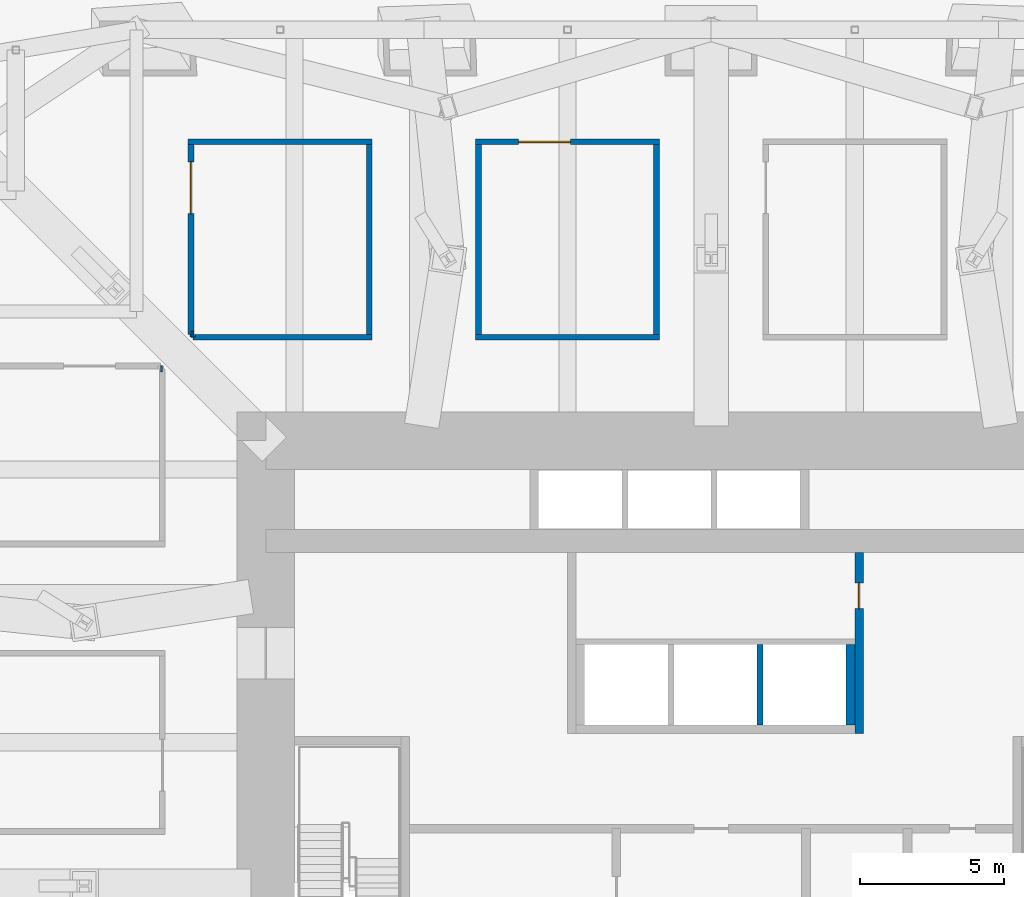
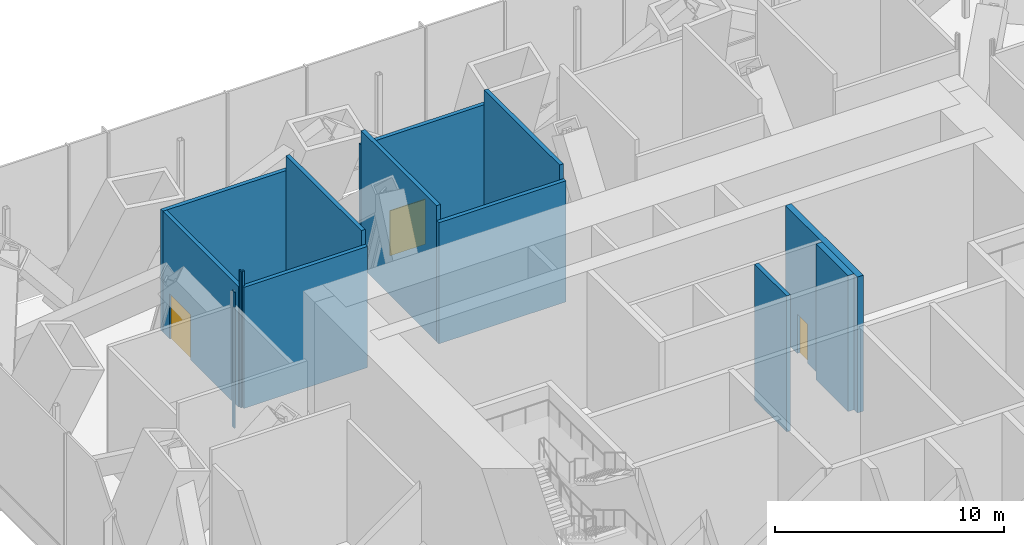
# One storey, part 16 of 20: 14 walls, 3 doors, 3 openings.
"""IFC4 building model written with IfcOpenShell, lengths in metres."""

import ifcopenshell
import ifcopenshell.guid

model = None  # the IFC model being written
_history = None  # IfcOwnerHistory: only IFC2X3 demands one
_inside = {}  # id of a spatial element -> (the spatial element, [elements in it])
_under = {}  # id of a project, library or spatial element -> (it, [spatial elements below it])
_declared = {}  # id of a project -> (the project, [libraries it declares])
_typed = {}  # id of a type object -> (the type object, [elements of that type])
_made_of = {}  # id of a material, layer set ... -> (it, [elements and type objects made of it])


def new_model(schema):
    """Start an empty IFC model of exactly this schema.

    Asked for "IFC4X3", IfcOpenShell would pick the latest addendum, in which some entities
    have other attributes; the version numbers below select the first issue.
    IFC2X3 requires an IfcOwnerHistory on every rooted entity: one is made here for all.
    """
    global model, _history
    if schema == "IFC4X3":
        model = ifcopenshell.file(schema_version=(4, 3, 0, 0))
    else:
        model = ifcopenshell.file(schema=schema)
    _inside.clear()
    _under.clear()
    _declared.clear()
    _typed.clear()
    _made_of.clear()
    _history = None
    if model.schema == "IFC2X3":
        org = make("IfcOrganization", Name="unknown")
        user = make(
            "IfcPersonAndOrganization",
            ThePerson=make("IfcPerson", FamilyName="unknown"),
            TheOrganization=org,
        )
        app = make(
            "IfcApplication",
            ApplicationDeveloper=org,
            Version="unknown",
            ApplicationFullName="unknown",
            ApplicationIdentifier="unknown",
        )
        _history = make(
            "IfcOwnerHistory",
            OwningUser=user,
            OwningApplication=app,
            ChangeAction="ADDED",
            CreationDate=0,
        )
    return model


def make(cls, **values):
    """One entity of the class cls with the attributes given. An attribute that is None is left unset."""
    return model.create_entity(
        cls, **{name: value for name, value in values.items() if value is not None}
    )


def rooted(cls, **values):
    """An entity with a GlobalId (a new one), such as an element, a storey or a relation."""
    return make(cls, GlobalId=ifcopenshell.guid.new(), OwnerHistory=_history, **values)


def si_unit(unit_type, name, prefix=None):
    """IfcSIUnit, for example si_unit("LENGTHUNIT", "METRE", prefix="MILLI")."""
    return make("IfcSIUnit", UnitType=unit_type, Prefix=prefix, Name=name)


def assignment(units):
    """IfcUnitAssignment: the units of a project."""
    return None if units is None else make("IfcUnitAssignment", Units=units)


def point(xyz):
    """IfcCartesianPoint."""
    return None if xyz is None else make("IfcCartesianPoint", Coordinates=xyz)


def direction(xyz):
    """IfcDirection."""
    return None if xyz is None else make("IfcDirection", DirectionRatios=xyz)


def frame(location, z_axis=None, x_axis=None):
    """IfcAxis2Placement3D, a coordinate frame: its origin and axes. An axis left out is left unset."""
    return make(
        "IfcAxis2Placement3D",
        Location=point(location),
        Axis=direction(z_axis),
        RefDirection=direction(x_axis),
    )


def frame_2d(location, x_axis=None):
    """IfcAxis2Placement2D, a coordinate frame in the plane: its origin and x axis."""
    return make(
        "IfcAxis2Placement2D", Location=point(location), RefDirection=direction(x_axis)
    )


def origin():
    """The frame at (0, 0, 0) with its axes left unset."""
    return frame((0.0, 0.0, 0.0))


def place(relative_to, where):
    """IfcLocalPlacement: puts the frame where relative to a parent placement (None: the world)."""
    return make(
        "IfcLocalPlacement", PlacementRelTo=relative_to, RelativePlacement=where
    )


def context(
    kind, dimensions, precision=None, world=None, true_north=None, identifier=None
):
    """IfcGeometricRepresentationContext, for example the 3D "Model" context."""
    return make(
        "IfcGeometricRepresentationContext",
        ContextIdentifier=identifier,
        ContextType=kind,
        CoordinateSpaceDimension=dimensions,
        Precision=precision,
        WorldCoordinateSystem=world,
        TrueNorth=true_north,
    )


def subcontext(parent, identifier, kind, view, scale=None):
    """IfcGeometricRepresentationSubContext, for example "Body" below "Model"."""
    return make(
        "IfcGeometricRepresentationSubContext",
        ContextIdentifier=identifier,
        ContextType=kind,
        ParentContext=parent,
        TargetScale=scale,
        TargetView=view,
    )


def project(units=None, contexts=None):
    """IfcProject with its units and contexts."""
    return rooted(
        "IfcProject",
        Name="project",
        RepresentationContexts=contexts,
        UnitsInContext=assignment(units),
    )


def spatial(cls, under=None, at=None, **own):
    """A site, building, storey or space (cls), placed at a placement, below another one or the project."""
    s = rooted(cls, ObjectPlacement=at, **own)
    if under is not None:
        _under.setdefault(under.id(), (under, []))[1].append(s)
    return s


def profile(cls, at=None, kind="AREA", **sizes):
    """A parametric profile (cls). Its sizes go by their IFC names, for example OverallWidth=200.0."""
    return make(cls, ProfileType=kind, Position=at, **sizes)


def rectangle(**sizes):
    """IfcRectangleProfileDef."""
    return profile("IfcRectangleProfileDef", **sizes)


def extrude(swept, where, along, depth):
    """IfcExtrudedAreaSolid: the profile swept, set in the frame where, extruded along a direction by depth."""
    return make(
        "IfcExtrudedAreaSolid",
        SweptArea=swept,
        Position=where,
        ExtrudedDirection=direction(along),
        Depth=depth,
    )


def shape(context_of_items, identifier, shape_type, items):
    """IfcShapeRepresentation: the items that make up one representation, for example the "Body"."""
    return make(
        "IfcShapeRepresentation",
        ContextOfItems=context_of_items,
        RepresentationIdentifier=identifier,
        RepresentationType=shape_type,
        Items=items,
    )


def material(Name=None, Category=None):
    """IfcMaterial."""
    return make("IfcMaterial", Name=Name, Category=Category)


def layer(
    of_material, thickness, ventilated=None, Name=None, Category=None, Priority=None
):
    """IfcMaterialLayer: one layer of a wall or slab, of a material (None: an air gap)."""
    return make(
        "IfcMaterialLayer",
        Material=of_material,
        LayerThickness=thickness,
        IsVentilated=ventilated,
        Name=Name,
        Category=Category,
        Priority=Priority,
    )


def layer_set(layers, Name=None):
    """IfcMaterialLayerSet."""
    return make("IfcMaterialLayerSet", MaterialLayers=layers, LayerSetName=Name)


def made_of(thing, what):
    """Note that an element or type object is made of a material, layer set ...; save() writes the relation."""
    if what is not None:
        _made_of.setdefault(what.id(), (what, []))[1].append(thing)
    return thing


def type_object(cls, material=None, **own):
    """A type object (cls), such as IfcWallType, which elements share."""
    return made_of(rooted(cls, **own), material)


def element(
    cls,
    number,
    at=None,
    inside=None,
    cuts=None,
    type_object=None,
    material=None,
    context=None,
    identifier="Body",
    shape_type=None,
    held_by="IfcProductDefinitionShape",
    body=None,
    shapes=None,
    **own,
):
    """One element of the class cls, such as IfcWall. Its Tag is "e" and its number.

    at: its placement. inside: the storey or other place that contains it. cuts: it is an
    opening in that element (IfcRelVoidsElement). A single representation is given by context,
    identifier, shape_type and body (its items); several are given by shapes. held_by: the class
    of the entity that holds the representations. save() writes the other relations.
    """
    e = rooted(cls, Tag="e%d" % number, ObjectPlacement=at, **own)
    if body is not None:
        shapes = [shape(context, identifier, shape_type, body)]
    if shapes is not None:
        e.Representation = make(held_by, Representations=shapes)
    if inside is not None:
        _inside.setdefault(inside.id(), (inside, []))[1].append(e)
    if cuts is not None:
        rooted(
            "IfcRelVoidsElement", RelatingBuildingElement=cuts, RelatedOpeningElement=e
        )
    if type_object is not None:
        _typed.setdefault(type_object.id(), (type_object, []))[1].append(e)
    return made_of(e, material)


def fill(opening, filler):
    """IfcRelFillsElement: the door or window that sits in an opening."""
    return rooted(
        "IfcRelFillsElement",
        RelatingOpeningElement=opening,
        RelatedBuildingElement=filler,
    )


def aggregate(whole, parts):
    """IfcRelAggregates: a whole, such as a stair, and the parts it consists of."""
    return rooted("IfcRelAggregates", RelatingObject=whole, RelatedObjects=parts)


def save(model, path):
    """Write the relations noted so far, then the file.

    IfcRelAggregates (storeys below a building ...), IfcRelContainedInSpatialStructure (elements
    in a storey), IfcRelDefinesByType, IfcRelAssociatesMaterial and IfcRelDeclares: one each for
    every whole, place, type object, material and project.
    """
    for whole, parts in _under.values():
        aggregate(whole, parts)
    for where, things in _inside.values():
        rooted(
            "IfcRelContainedInSpatialStructure",
            RelatedElements=things,
            RelatingStructure=where,
        )
    for kind, things in _typed.values():
        rooted("IfcRelDefinesByType", RelatedObjects=things, RelatingType=kind)
    for what, things in _made_of.values():
        rooted("IfcRelAssociatesMaterial", RelatedObjects=things, RelatingMaterial=what)
    for by, libraries in _declared.values():
        rooted("IfcRelDeclares", RelatingContext=by, RelatedDefinitions=libraries)
    model.write(path)


model = new_model("IFC4")

# Units and contexts
model_context = context("Model", 3, precision=1e-05, world=origin(), true_north=direction((0.0, 1.0)))
body_context = subcontext(model_context, "Body", "Model", "MODEL_VIEW")
ifc_project = project(units=[si_unit("LENGTHUNIT", "METRE"), si_unit("AREAUNIT", "SQUARE_METRE"), si_unit("VOLUMEUNIT", "CUBIC_METRE"), si_unit("PLANEANGLEUNIT", "RADIAN"), si_unit("MASSUNIT", "GRAM", prefix="KILO")], contexts=[model_context])

# Site, building, storey
site_placement = place(None, origin())
site = spatial("IfcSite", under=ifc_project, at=site_placement, CompositionType="ELEMENT")
building_placement = place(site_placement, origin())
building = spatial("IfcBuilding", under=site, at=building_placement, Name="Khuree Lantern Residences", CompositionType="ELEMENT")
storey_placement = place(building_placement, frame((0.0, 0.0, 99.75)))
storey = spatial("IfcBuildingStorey", under=building, at=storey_placement, Name="L25", CompositionType="ELEMENT", Elevation=99.75)

# Wall
ifc_material_1 = material(Name="Dense concrete blockwork", Category="masonry")
ifc_layer_1 = layer(ifc_material_1, 0.300048828125)
ifc_layer_set_1 = layer_set([ifc_layer_1], Name="CORE PARTITION WALL CPW300 EI 120")
wall_type_1 = type_object("IfcWallType", Name="CORE PARTITION WALL CPW300 EI 120", PredefinedType="PARTITIONING", material=ifc_layer_set_1)
wall_1_placement = place(storey_placement, frame((4.85009765625, 5.60009765625, 0.0), z_axis=(0.0, 0.0, 1.0), x_axis=(0.0, 1.0, 0.0)))
element("IfcWall", 1, at=wall_1_placement, inside=storey, type_object=wall_type_1, Name="L25 CORE WALL PHE", PredefinedType="PARTITIONING", context=body_context, shape_type="SweptSolid", body=[
    extrude(rectangle(XDim=2.7998046875, YDim=0.300048828125, at=frame_2d((1.39990234375, 0.0))), origin(), (0.0, 0.0, 1.0), 7.25),
])

# Wall, opening, door
wall_2_placement = place(storey_placement, frame((5.14990234375, 5.300048828125, 0.0), z_axis=(0.0, 0.0, 1.0), x_axis=(0.0, 1.0, 0.0)))
wall_2 = element("IfcWall", 2, at=wall_2_placement, inside=storey, type_object=wall_type_1, Name="L25 CORE WALL NE", PredefinedType="PARTITIONING", context=body_context, shape_type="SweptSolid", body=[
    extrude(rectangle(XDim=6.300048828125, YDim=0.300048828125, at=frame_2d((3.14990234375, 0.0))), origin(), (0.0, 0.0, 1.0), 7.25),
])
opening_1_placement = place(wall_2_placement, frame((4.35009765625, 0.0, 0.0)))
opening_1 = element("IfcOpeningElement", 3, at=opening_1_placement, cuts=wall_2, Name="Opening 25-017", PredefinedType="OPENING", context=body_context, shape_type="SweptSolid", body=[
    extrude(rectangle(XDim=0.89990234375, YDim=2.10009765625, at=frame_2d((0.449951171875, 1.050048828125))), frame((0.0, 0.16015625, 0.0), z_axis=(0.0, -1.0, 0.0), x_axis=(1.0, 0.0, 0.0)), (0.0, 0.0, 1.0), 0.320068359375),
])
ifc_material_2 = material(Name="Timber door leaf in hardwood frame", Category="wood")
door_type_1 = type_object("IfcDoorType", Name="DOOR 900X2100", OperationType="SINGLE_SWING_LEFT", PredefinedType="DOOR", material=ifc_material_2)
door_1_placement = place(opening_1_placement, origin())
door_1 = element("IfcDoor", 4, at=door_1_placement, inside=storey, type_object=door_type_1, Name="Store door 25-017", OperationType="SINGLE_SWING_LEFT", OverallHeight=2.10009765625, OverallWidth=0.89990234375, PredefinedType="DOOR", context=body_context, shape_type="SweptSolid", body=[
    extrude(rectangle(XDim=0.89990234375, YDim=2.10009765625, at=frame_2d((0.449951171875, 1.050048828125))), frame((0.0, 0.02490234375, 0.0), z_axis=(0.0, -1.0, 0.0), x_axis=(1.0, 0.0, 0.0)), (0.0, 0.0, 1.0), 0.050048828125),
])
fill(opening_1, door_1)

# Walls
ifc_layer_2 = layer(ifc_material_1, 0.199951171875)
ifc_layer_set_2 = layer_set([ifc_layer_2], Name="FIRE-RATED ROOM WALL FRW200 EI 120")
wall_type_2 = type_object("IfcWallType", Name="FIRE-RATED ROOM WALL FRW200 EI 120", PredefinedType="SOLIDWALL", material=ifc_layer_set_2)
wall_3_placement = place(storey_placement, frame((-19.160888671875, 18.0, 0.0), z_axis=(0.0, 0.0, 1.0), x_axis=(1.0, 0.0, 0.0)))
element("IfcWall", 5, at=wall_3_placement, inside=storey, type_object=wall_type_2, Name="L25 ROOM WALL 55", PredefinedType="SOLIDWALL", context=body_context, shape_type="SweptSolid", body=[
    extrude(rectangle(XDim=0.060791015625, YDim=0.199951171875, at=frame_2d((0.0302734375, 0.0))), origin(), (0.0, 0.0, 1.0), 7.25),
])
wall_4_placement = place(storey_placement, frame((-18.039306640625, 19.10009765625, 0.0), z_axis=(0.0, 0.0, 1.0), x_axis=(1.0, 0.0, 0.0)))
element("IfcWall", 6, at=wall_4_placement, inside=storey, type_object=wall_type_2, Name="L25 ROOM WALL 61", PredefinedType="SOLIDWALL", context=body_context, shape_type="SweptSolid", body=[
    extrude(rectangle(XDim=6.2392578125, YDim=0.199951171875, at=frame_2d((3.11962890625, 0.0))), origin(), (0.0, 0.0, 1.0), 6.4599609375),
])
wall_5_placement = place(storey_placement, frame((-18.039306640625, 19.10009765625, 0.0), z_axis=(0.0, 0.0, 1.0), x_axis=(0.0, 1.0, 0.0)))
element("IfcWall", 7, at=wall_5_placement, inside=storey, type_object=wall_type_2, Name="L25 ROOM WALL 62", PredefinedType="SOLIDWALL", context=body_context, shape_type="SweptSolid", body=[
    extrude(rectangle(XDim=0.099853515625, YDim=0.199951171875, at=frame_2d((0.0498046875, 0.0))), origin(), (0.0, 0.0, 1.0), 7.25),
])
wall_6_placement = place(storey_placement, frame((-8.199951171875, 19.10009765625, 0.0), z_axis=(0.0, 0.0, 1.0), x_axis=(1.0, 0.0, 0.0)))
element("IfcWall", 8, at=wall_6_placement, inside=storey, type_object=wall_type_2, Name="L25 ROOM WALL 63", PredefinedType="SOLIDWALL", context=body_context, shape_type="SweptSolid", body=[
    extrude(rectangle(XDim=6.39990234375, YDim=0.199951171875, at=frame_2d((3.199951171875, 0.0))), origin(), (0.0, 0.0, 1.0), 6.4599609375),
])

# Wall, opening, door
wall_7_placement = place(storey_placement, frame((-18.10009765625, 19.199951171875, 0.0), z_axis=(0.0, 0.0, 1.0), x_axis=(0.0, 1.0, 0.0)))
wall_7 = element("IfcWall", 9, at=wall_7_placement, inside=storey, type_object=wall_type_2, Name="L25 ROOM WALL 67", PredefinedType="SOLIDWALL", context=body_context, shape_type="SweptSolid", body=[
    extrude(rectangle(XDim=6.60009765625, YDim=0.199951171875, at=frame_2d((3.300048828125, 0.0))), origin(), (0.0, 0.0, 1.0), 6.449951171875),
])
opening_2_placement = place(wall_7_placement, frame((4.199951171875, 0.0, 0.0)))
opening_2 = element("IfcOpeningElement", 10, at=opening_2_placement, cuts=wall_7, Name="Opening 25-025", PredefinedType="OPENING", context=body_context, shape_type="SweptSolid", body=[
    extrude(rectangle(XDim=1.800048828125, YDim=2.39990234375, at=frame_2d((0.89990234375, 1.199951171875))), frame((0.0, 0.10986328125, 0.0), z_axis=(0.0, -1.0, 0.0), x_axis=(1.0, 0.0, 0.0)), (0.0, 0.0, 1.0), 0.219970703125),
])
ifc_material_3 = material(Name="Steel door leaf in steel frame", Category="steel")
door_type_2 = type_object("IfcDoorType", Name="PLANT ROOM DOOR 1800X2400 EI 60", OperationType="DOUBLE_DOOR_SINGLE_SWING", PredefinedType="DOOR", material=ifc_material_3)
door_2_placement = place(opening_2_placement, origin())
door_2 = element("IfcDoor", 11, at=door_2_placement, inside=storey, type_object=door_type_2, Name="Water treatment plant room door 25-025", OperationType="DOUBLE_DOOR_SINGLE_SWING", OverallHeight=2.39990234375, OverallWidth=1.800048828125, PredefinedType="DOOR", context=body_context, shape_type="SweptSolid", body=[
    extrude(rectangle(XDim=1.800048828125, YDim=2.39990234375, at=frame_2d((0.89990234375, 1.199951171875))), frame((0.0, 0.02490234375, 0.0), z_axis=(0.0, -1.0, 0.0), x_axis=(1.0, 0.0, 0.0)), (0.0, 0.0, 1.0), 0.050048828125),
])
fill(opening_2, door_2)

# Walls
wall_8_placement = place(storey_placement, frame((-18.039306640625, 19.199951171875, 0.0), z_axis=(0.0, 0.0, 1.0), x_axis=(-1.0, 0.0, 0.0)))
element("IfcWall", 12, at=wall_8_placement, inside=storey, type_object=wall_type_2, Name="L25 ROOM WALL 68", PredefinedType="SOLIDWALL", context=body_context, shape_type="SweptSolid", body=[
    extrude(rectangle(XDim=0.060791015625, YDim=0.199951171875, at=frame_2d((0.0302734375, 0.0))), origin(), (0.0, 0.0, 1.0), 7.25),
])
for number, where, z_axis, x_axis, name in (
    (13, (-11.89990234375, 19.199951171875, 0.0), (0.0, 0.0, 1.0), (0.0, 1.0, 0.0), "L25 ROOM WALL 69"),
    (14, (-8.10009765625, 19.199951171875, 0.0), (0.0, 0.0, 1.0), (0.0, 1.0, 0.0), "L25 ROOM WALL 70"),
    (15, (-1.89990234375, 19.199951171875, 0.0), (0.0, 0.0, 1.0), (0.0, 1.0, 0.0), "L25 ROOM WALL 71"),
):
    element("IfcWall", number, at=place(storey_placement, frame(where, z_axis=z_axis, x_axis=x_axis)), inside=storey, type_object=wall_type_2, Name=name, PredefinedType="SOLIDWALL", context=body_context, shape_type="SweptSolid", body=[
        extrude(rectangle(XDim=6.60009765625, YDim=0.199951171875, at=frame_2d((3.300048828125, 0.0))), origin(), (0.0, 0.0, 1.0), 7.25),
    ])
wall_9_placement = place(storey_placement, frame((-18.199951171875, 25.89990234375, 0.0), z_axis=(0.0, 0.0, 1.0), x_axis=(1.0, 0.0, 0.0)))
element("IfcWall", 16, at=wall_9_placement, inside=storey, type_object=wall_type_2, Name="L25 ROOM WALL 77", PredefinedType="SOLIDWALL", context=body_context, shape_type="SweptSolid", body=[
    extrude(rectangle(XDim=6.39990234375, YDim=0.199951171875, at=frame_2d((3.199951171875, 0.0))), origin(), (0.0, 0.0, 1.0), 6.449951171875),
])

# Wall, opening, door
wall_10_placement = place(storey_placement, frame((-8.199951171875, 25.89990234375, 0.0), z_axis=(0.0, 0.0, 1.0), x_axis=(1.0, 0.0, 0.0)))
wall_10 = element("IfcWall", 17, at=wall_10_placement, inside=storey, type_object=wall_type_2, Name="L25 ROOM WALL 78", PredefinedType="SOLIDWALL", context=body_context, shape_type="SweptSolid", body=[
    extrude(rectangle(XDim=6.39990234375, YDim=0.199951171875, at=frame_2d((3.199951171875, 0.0))), origin(), (0.0, 0.0, 1.0), 6.4599609375),
])
opening_3_placement = place(wall_10_placement, frame((1.5, 0.0, 0.0)))
opening_3 = element("IfcOpeningElement", 18, at=opening_3_placement, cuts=wall_10, Name="Opening 25-023", PredefinedType="OPENING", context=body_context, shape_type="SweptSolid", body=[
    extrude(rectangle(XDim=1.800048828125, YDim=2.39990234375, at=frame_2d((0.89990234375, 1.199951171875))), frame((0.0, 0.10986328125, 0.0), z_axis=(0.0, -1.0, 0.0), x_axis=(1.0, 0.0, 0.0)), (0.0, 0.0, 1.0), 0.219970703125),
])
door_3_placement = place(opening_3_placement, origin())
door_3 = element("IfcDoor", 19, at=door_3_placement, inside=storey, type_object=door_type_2, Name="AHU plant room door 25-023", OperationType="DOUBLE_DOOR_SINGLE_SWING", OverallHeight=2.39990234375, OverallWidth=1.800048828125, PredefinedType="DOOR", context=body_context, shape_type="SweptSolid", body=[
    extrude(rectangle(XDim=1.800048828125, YDim=2.39990234375, at=frame_2d((0.89990234375, 1.199951171875))), frame((0.0, 0.02490234375, 0.0), z_axis=(0.0, -1.0, 0.0), x_axis=(1.0, 0.0, 0.0)), (0.0, 0.0, 1.0), 0.050048828125),
])
fill(opening_3, door_3)

# Wall
ifc_layer_3 = layer(ifc_material_1, 0.199951171875)
ifc_layer_set_3 = layer_set([ifc_layer_3], Name="SHAFT WALL SHW200 EI 120")
wall_type_3 = type_object("IfcWallType", Name="SHAFT WALL SHW200 EI 120", PredefinedType="PARTITIONING", material=ifc_layer_set_3)
wall_11_placement = place(storey_placement, frame((1.699951171875, 5.60009765625, 0.0), z_axis=(0.0, 0.0, 1.0), x_axis=(0.0, 1.0, 0.0)))
element("IfcWall", 20, at=wall_11_placement, inside=storey, type_object=wall_type_3, Name="L25 CORE WALL PHD2", PredefinedType="PARTITIONING", context=body_context, shape_type="SweptSolid", body=[
    extrude(rectangle(XDim=2.7998046875, YDim=0.199951171875, at=frame_2d((1.39990234375, 0.0))), origin(), (0.0, 0.0, 1.0), 7.25),
])

save(model, "model.ifc")
